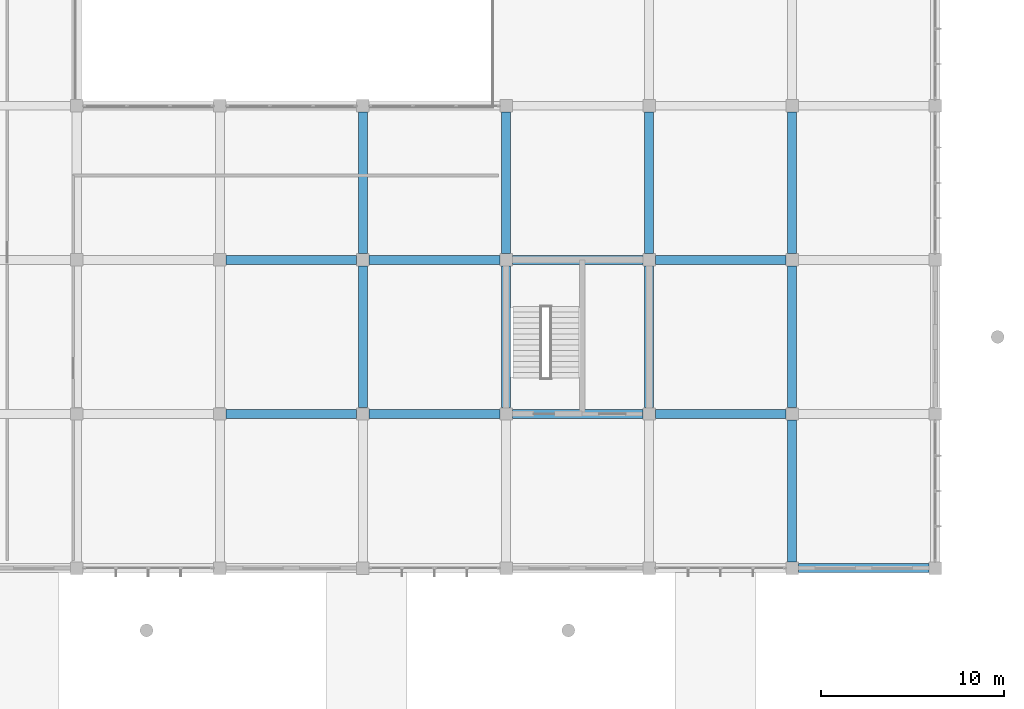
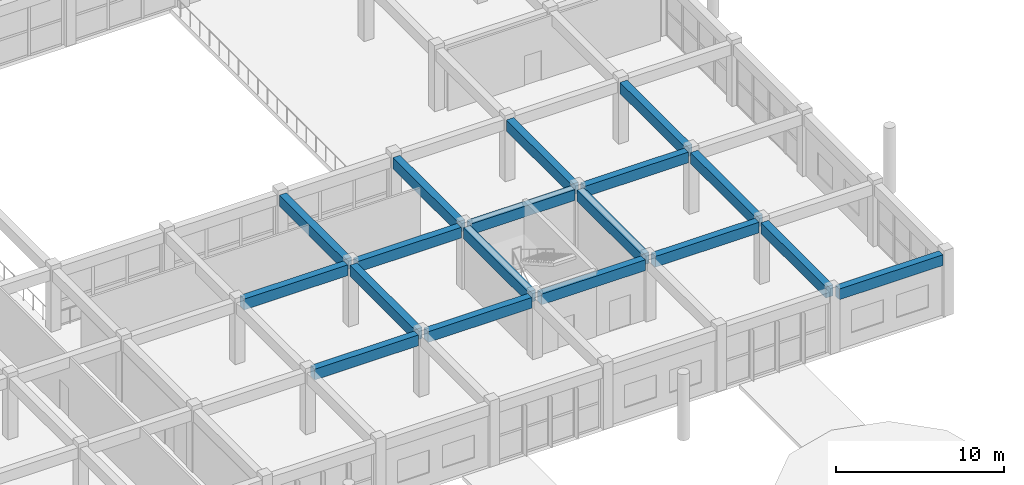
# One storey, part 96 of 175: 18 beams.
"""IFC4 building model written with IfcOpenShell, lengths in metres."""

import ifcopenshell
import ifcopenshell.guid

model = None  # the IFC model being written
_history = None  # IfcOwnerHistory: only IFC2X3 demands one
_inside = {}  # id of a spatial element -> (the spatial element, [elements in it])
_under = {}  # id of a project, library or spatial element -> (it, [spatial elements below it])
_declared = {}  # id of a project -> (the project, [libraries it declares])
_typed = {}  # id of a type object -> (the type object, [elements of that type])
_made_of = {}  # id of a material, layer set ... -> (it, [elements and type objects made of it])


def new_model(schema):
    """Start an empty IFC model of exactly this schema.

    Asked for "IFC4X3", IfcOpenShell would pick the latest addendum, in which some entities
    have other attributes; the version numbers below select the first issue.
    IFC2X3 requires an IfcOwnerHistory on every rooted entity: one is made here for all.
    """
    global model, _history
    if schema == "IFC4X3":
        model = ifcopenshell.file(schema_version=(4, 3, 0, 0))
    else:
        model = ifcopenshell.file(schema=schema)
    _inside.clear()
    _under.clear()
    _declared.clear()
    _typed.clear()
    _made_of.clear()
    _history = None
    if model.schema == "IFC2X3":
        org = make("IfcOrganization", Name="unknown")
        user = make(
            "IfcPersonAndOrganization",
            ThePerson=make("IfcPerson", FamilyName="unknown"),
            TheOrganization=org,
        )
        app = make(
            "IfcApplication",
            ApplicationDeveloper=org,
            Version="unknown",
            ApplicationFullName="unknown",
            ApplicationIdentifier="unknown",
        )
        _history = make(
            "IfcOwnerHistory",
            OwningUser=user,
            OwningApplication=app,
            ChangeAction="ADDED",
            CreationDate=0,
        )
    return model


def make(cls, **values):
    """One entity of the class cls with the attributes given. An attribute that is None is left unset."""
    return model.create_entity(
        cls, **{name: value for name, value in values.items() if value is not None}
    )


def rooted(cls, **values):
    """An entity with a GlobalId (a new one), such as an element, a storey or a relation."""
    return make(cls, GlobalId=ifcopenshell.guid.new(), OwnerHistory=_history, **values)


def si_unit(unit_type, name, prefix=None):
    """IfcSIUnit, for example si_unit("LENGTHUNIT", "METRE", prefix="MILLI")."""
    return make("IfcSIUnit", UnitType=unit_type, Prefix=prefix, Name=name)


def assignment(units):
    """IfcUnitAssignment: the units of a project."""
    return None if units is None else make("IfcUnitAssignment", Units=units)


def point(xyz):
    """IfcCartesianPoint."""
    return None if xyz is None else make("IfcCartesianPoint", Coordinates=xyz)


def direction(xyz):
    """IfcDirection."""
    return None if xyz is None else make("IfcDirection", DirectionRatios=xyz)


def frame(location, z_axis=None, x_axis=None):
    """IfcAxis2Placement3D, a coordinate frame: its origin and axes. An axis left out is left unset."""
    return make(
        "IfcAxis2Placement3D",
        Location=point(location),
        Axis=direction(z_axis),
        RefDirection=direction(x_axis),
    )


def frame_2d(location, x_axis=None):
    """IfcAxis2Placement2D, a coordinate frame in the plane: its origin and x axis."""
    return make(
        "IfcAxis2Placement2D", Location=point(location), RefDirection=direction(x_axis)
    )


def origin():
    """The frame at (0, 0, 0) with its axes left unset."""
    return frame((0.0, 0.0, 0.0))


def origin_2d():
    """The frame at (0, 0) in the plane with its x axis left unset."""
    return frame_2d((0.0, 0.0))


def place(relative_to, where):
    """IfcLocalPlacement: puts the frame where relative to a parent placement (None: the world)."""
    return make(
        "IfcLocalPlacement", PlacementRelTo=relative_to, RelativePlacement=where
    )


def context(
    kind, dimensions, precision=None, world=None, true_north=None, identifier=None
):
    """IfcGeometricRepresentationContext, for example the 3D "Model" context."""
    return make(
        "IfcGeometricRepresentationContext",
        ContextIdentifier=identifier,
        ContextType=kind,
        CoordinateSpaceDimension=dimensions,
        Precision=precision,
        WorldCoordinateSystem=world,
        TrueNorth=true_north,
    )


def subcontext(parent, identifier, kind, view, scale=None):
    """IfcGeometricRepresentationSubContext, for example "Body" below "Model"."""
    return make(
        "IfcGeometricRepresentationSubContext",
        ContextIdentifier=identifier,
        ContextType=kind,
        ParentContext=parent,
        TargetScale=scale,
        TargetView=view,
    )


def project(units=None, contexts=None):
    """IfcProject with its units and contexts."""
    return rooted(
        "IfcProject",
        Name="project",
        RepresentationContexts=contexts,
        UnitsInContext=assignment(units),
    )


def spatial(cls, under=None, at=None, **own):
    """A site, building, storey or space (cls), placed at a placement, below another one or the project."""
    s = rooted(cls, ObjectPlacement=at, **own)
    if under is not None:
        _under.setdefault(under.id(), (under, []))[1].append(s)
    return s


def profile(cls, at=None, kind="AREA", **sizes):
    """A parametric profile (cls). Its sizes go by their IFC names, for example OverallWidth=200.0."""
    return make(cls, ProfileType=kind, Position=at, **sizes)


def rectangle(**sizes):
    """IfcRectangleProfileDef."""
    return profile("IfcRectangleProfileDef", **sizes)


def extrude(swept, where, along, depth):
    """IfcExtrudedAreaSolid: the profile swept, set in the frame where, extruded along a direction by depth."""
    return make(
        "IfcExtrudedAreaSolid",
        SweptArea=swept,
        Position=where,
        ExtrudedDirection=direction(along),
        Depth=depth,
    )


def shape(context_of_items, identifier, shape_type, items):
    """IfcShapeRepresentation: the items that make up one representation, for example the "Body"."""
    return make(
        "IfcShapeRepresentation",
        ContextOfItems=context_of_items,
        RepresentationIdentifier=identifier,
        RepresentationType=shape_type,
        Items=items,
    )


def material(Name=None, Category=None):
    """IfcMaterial."""
    return make("IfcMaterial", Name=Name, Category=Category)


def material_profile(
    of_material, cross_section, Name=None, Category=None, Priority=None
):
    """IfcMaterialProfile: a cross section and its material."""
    return make(
        "IfcMaterialProfile",
        Name=Name,
        Material=of_material,
        Profile=cross_section,
        Priority=Priority,
        Category=Category,
    )


def profile_set(profiles, Name=None, composite=None):
    """IfcMaterialProfileSet."""
    return make(
        "IfcMaterialProfileSet",
        Name=Name,
        MaterialProfiles=profiles,
        CompositeProfile=composite,
    )


def made_of(thing, what):
    """Note that an element or type object is made of a material, layer set ...; save() writes the relation."""
    if what is not None:
        _made_of.setdefault(what.id(), (what, []))[1].append(thing)
    return thing


def type_object(cls, material=None, **own):
    """A type object (cls), such as IfcWallType, which elements share."""
    return made_of(rooted(cls, **own), material)


def element(
    cls,
    number,
    at=None,
    inside=None,
    cuts=None,
    type_object=None,
    material=None,
    context=None,
    identifier="Body",
    shape_type=None,
    held_by="IfcProductDefinitionShape",
    body=None,
    shapes=None,
    **own,
):
    """One element of the class cls, such as IfcWall. Its Tag is "e" and its number.

    at: its placement. inside: the storey or other place that contains it. cuts: it is an
    opening in that element (IfcRelVoidsElement). A single representation is given by context,
    identifier, shape_type and body (its items); several are given by shapes. held_by: the class
    of the entity that holds the representations. save() writes the other relations.
    """
    e = rooted(cls, Tag="e%d" % number, ObjectPlacement=at, **own)
    if body is not None:
        shapes = [shape(context, identifier, shape_type, body)]
    if shapes is not None:
        e.Representation = make(held_by, Representations=shapes)
    if inside is not None:
        _inside.setdefault(inside.id(), (inside, []))[1].append(e)
    if cuts is not None:
        rooted(
            "IfcRelVoidsElement", RelatingBuildingElement=cuts, RelatedOpeningElement=e
        )
    if type_object is not None:
        _typed.setdefault(type_object.id(), (type_object, []))[1].append(e)
    return made_of(e, material)


def aggregate(whole, parts):
    """IfcRelAggregates: a whole, such as a stair, and the parts it consists of."""
    return rooted("IfcRelAggregates", RelatingObject=whole, RelatedObjects=parts)


def save(model, path):
    """Write the relations noted so far, then the file.

    IfcRelAggregates (storeys below a building ...), IfcRelContainedInSpatialStructure (elements
    in a storey), IfcRelDefinesByType, IfcRelAssociatesMaterial and IfcRelDeclares: one each for
    every whole, place, type object, material and project.
    """
    for whole, parts in _under.values():
        aggregate(whole, parts)
    for where, things in _inside.values():
        rooted(
            "IfcRelContainedInSpatialStructure",
            RelatedElements=things,
            RelatingStructure=where,
        )
    for kind, things in _typed.values():
        rooted("IfcRelDefinesByType", RelatedObjects=things, RelatingType=kind)
    for what, things in _made_of.values():
        rooted("IfcRelAssociatesMaterial", RelatedObjects=things, RelatingMaterial=what)
    for by, libraries in _declared.values():
        rooted("IfcRelDeclares", RelatingContext=by, RelatedDefinitions=libraries)
    model.write(path)


model = new_model("IFC4")

# Units and contexts
model_context = context("Model", 3, precision=1e-05, world=origin(), true_north=direction((0.0, 1.0)))
body_context = subcontext(model_context, "Body", "Model", "MODEL_VIEW")
ifc_project = project(units=[si_unit("LENGTHUNIT", "METRE"), si_unit("AREAUNIT", "SQUARE_METRE"), si_unit("VOLUMEUNIT", "CUBIC_METRE"), si_unit("PLANEANGLEUNIT", "RADIAN"), si_unit("MASSUNIT", "GRAM", prefix="KILO")], contexts=[model_context])

# Site, building, storey
site_placement = place(None, origin())
site = spatial("IfcSite", under=ifc_project, at=site_placement, CompositionType="ELEMENT")
building_placement = place(site_placement, origin())
building = spatial("IfcBuilding", under=site, at=building_placement, Name="Zizhar Promenade General Hospital", CompositionType="ELEMENT")
storey_placement = place(building_placement, frame((0.0, 0.0, 4.800048828125)))
storey = spatial("IfcBuildingStorey", under=building, at=storey_placement, Name="L01", CompositionType="ELEMENT", Elevation=4.800048828125)

# Beams
ifc_material_1 = material(Name="Concrete C35/45", Category="concrete")
ifc_material_profile_1 = material_profile(ifc_material_1, rectangle(XDim=0.47998046875, YDim=0.780029296875, at=origin_2d()))
ifc_profile_set_1 = profile_set([ifc_material_profile_1], Name="Concrete C35/45")
beam_type_1 = type_object("IfcBeamType", Name="BM-RC-480x780", PredefinedType="BEAM", material=ifc_profile_set_1)
for number, where, z_axis, x_axis, name in (
    (1, (156.340087890625, 50.39990234375, 4.079833984375), (1.0, 0.0, 0.0), (0.0, 1.0, 0.0), "Grid Beam X L01 (20-6)"),
    (2, (156.340087890625, 58.800048828125, 4.079833984375), (1.0, 0.0, 0.0), (0.0, 1.0, 0.0), "Grid Beam X L01 (20-7)"),
):
    element("IfcBeam", number, at=place(storey_placement, frame(where, z_axis=z_axis, x_axis=x_axis)), inside=storey, type_object=beam_type_1, Name=name, PredefinedType="BEAM", context=body_context, shape_type="SweptSolid", body=[
        extrude(rectangle(XDim=0.47998046875, YDim=0.780029296875, at=origin_2d()), origin(), (0.0, 0.0, 1.0), 7.119873046875),
    ])
for number, where, z_axis, x_axis, name in (
    (3, (164.139892578125, 50.39990234375, 4.079833984375), (1.0, 0.0, 0.0), (0.0, 1.0, 0.0), "Grid Beam X L01 (21-6)"),
    (4, (164.139892578125, 58.800048828125, 4.079833984375), (1.0, 0.0, 0.0), (0.0, 1.0, 0.0), "Grid Beam X L01 (21-7)"),
    (5, (171.93994140625, 50.39990234375, 4.079833984375), (1.0, 0.0, 0.0), (0.0, 1.0, 0.0), "Grid Beam X L01 (22-6)"),
    (6, (171.93994140625, 58.800048828125, 4.079833984375), (1.0, 0.0, 0.0), (0.0, 1.0, 0.0), "Grid Beam X L01 (22-7)"),
    (7, (179.739990234375, 50.39990234375, 4.079833984375), (1.0, 0.0, 0.0), (0.0, 1.0, 0.0), "Grid Beam X L01 (23-6)"),
    (8, (179.739990234375, 58.800048828125, 4.079833984375), (1.0, 0.0, 0.0), (0.0, 1.0, 0.0), "Grid Beam X L01 (23-7)"),
):
    element("IfcBeam", number, at=place(storey_placement, frame(where, z_axis=z_axis, x_axis=x_axis)), inside=storey, type_object=beam_type_1, Name=name, PredefinedType="BEAM", context=body_context, shape_type="SweptSolid", body=[
        extrude(rectangle(XDim=0.47998046875, YDim=0.780029296875, at=origin_2d()), origin(), (0.0, 0.0, 1.0), 7.1201171875),
    ])
beam_1_placement = place(storey_placement, frame((187.5400390625, 42.0, 4.079833984375), z_axis=(1.0, 0.0, 0.0), x_axis=(0.0, 1.0, 0.0)))
element("IfcBeam", 9, at=beam_1_placement, inside=storey, type_object=beam_type_1, Name="Grid Beam X L01 (24-5)", PredefinedType="BEAM", context=body_context, shape_type="SweptSolid", body=[
    extrude(rectangle(XDim=0.47998046875, YDim=0.780029296875, at=origin_2d()), origin(), (0.0, 0.0, 1.0), 7.119873046875),
])
ifc_material_2 = material(Name="Concrete C35/45", Category="concrete")
ifc_material_profile_2 = material_profile(ifc_material_2, rectangle(XDim=0.5, YDim=0.800048828125, at=origin_2d()))
ifc_profile_set_2 = profile_set([ifc_material_profile_2], Name="Concrete C35/45")
beam_type_2 = type_object("IfcBeamType", Name="BM-RC-500x800", PredefinedType="BEAM", material=ifc_profile_set_2)
beam_2_placement = place(storey_placement, frame((163.800048828125, 50.739990234375, 4.070068359375), z_axis=(0.0, 1.0, 0.0), x_axis=(-1.0, 0.0, 0.0)))
element("IfcBeam", 10, at=beam_2_placement, inside=storey, type_object=beam_type_2, Name="Grid Beam Y L01 (21-6)", PredefinedType="BEAM", context=body_context, shape_type="SweptSolid", body=[
    extrude(rectangle(XDim=0.5, YDim=0.800048828125, at=origin_2d()), origin(), (0.0, 0.0, 1.0), 7.719970703125),
])
beam_3_placement = place(storey_placement, frame((163.800048828125, 59.139892578125, 4.070068359375), z_axis=(0.0, 1.0, 0.0), x_axis=(-1.0, 0.0, 0.0)))
element("IfcBeam", 11, at=beam_3_placement, inside=storey, type_object=beam_type_2, Name="Grid Beam Y L01 (21-7)", PredefinedType="BEAM", context=body_context, shape_type="SweptSolid", body=[
    extrude(rectangle(XDim=0.5, YDim=0.800048828125, at=origin_2d()), origin(), (0.0, 0.0, 1.0), 7.72021484375),
])
beam_4_placement = place(storey_placement, frame((171.60009765625, 50.739990234375, 4.070068359375), z_axis=(0.0, 1.0, 0.0), x_axis=(-1.0, 0.0, 0.0)))
element("IfcBeam", 12, at=beam_4_placement, inside=storey, type_object=beam_type_2, Name="Grid Beam Y L01 (22-6)", PredefinedType="BEAM", context=body_context, shape_type="SweptSolid", body=[
    extrude(rectangle(XDim=0.5, YDim=0.800048828125, at=origin_2d()), origin(), (0.0, 0.0, 1.0), 7.719970703125),
])
beam_5_placement = place(storey_placement, frame((171.60009765625, 59.139892578125, 4.070068359375), z_axis=(0.0, 1.0, 0.0), x_axis=(-1.0, 0.0, 0.0)))
element("IfcBeam", 13, at=beam_5_placement, inside=storey, type_object=beam_type_2, Name="Grid Beam Y L01 (22-7)", PredefinedType="BEAM", context=body_context, shape_type="SweptSolid", body=[
    extrude(rectangle(XDim=0.5, YDim=0.800048828125, at=origin_2d()), origin(), (0.0, 0.0, 1.0), 7.72021484375),
])
beam_6_placement = place(storey_placement, frame((179.39990234375, 50.739990234375, 4.070068359375), z_axis=(0.0, 1.0, 0.0), x_axis=(-1.0, 0.0, 0.0)))
element("IfcBeam", 14, at=beam_6_placement, inside=storey, type_object=beam_type_2, Name="Grid Beam Y L01 (23-6)", PredefinedType="BEAM", context=body_context, shape_type="SweptSolid", body=[
    extrude(rectangle(XDim=0.5, YDim=0.800048828125, at=origin_2d()), origin(), (0.0, 0.0, 1.0), 7.719970703125),
])
beam_7_placement = place(storey_placement, frame((179.39990234375, 59.139892578125, 4.070068359375), z_axis=(0.0, 1.0, 0.0), x_axis=(-1.0, 0.0, 0.0)))
element("IfcBeam", 15, at=beam_7_placement, inside=storey, type_object=beam_type_2, Name="Grid Beam Y L01 (23-7)", PredefinedType="BEAM", context=body_context, shape_type="SweptSolid", body=[
    extrude(rectangle(XDim=0.5, YDim=0.800048828125, at=origin_2d()), origin(), (0.0, 0.0, 1.0), 7.72021484375),
])
for number, where, z_axis, x_axis, name in (
    (16, (187.199951171875, 42.340087890625, 4.070068359375), (0.0, 1.0, 0.0), (-1.0, 0.0, 0.0), "Grid Beam Y L01 (24-5)"),
    (17, (187.199951171875, 50.739990234375, 4.070068359375), (0.0, 1.0, 0.0), (-1.0, 0.0, 0.0), "Grid Beam Y L01 (24-6)"),
):
    element("IfcBeam", number, at=place(storey_placement, frame(where, z_axis=z_axis, x_axis=x_axis)), inside=storey, type_object=beam_type_2, Name=name, PredefinedType="BEAM", context=body_context, shape_type="SweptSolid", body=[
        extrude(rectangle(XDim=0.5, YDim=0.800048828125, at=origin_2d()), origin(), (0.0, 0.0, 1.0), 7.719970703125),
    ])
beam_8_placement = place(storey_placement, frame((187.199951171875, 59.139892578125, 4.070068359375), z_axis=(0.0, 1.0, 0.0), x_axis=(-1.0, 0.0, 0.0)))
element("IfcBeam", 18, at=beam_8_placement, inside=storey, type_object=beam_type_2, Name="Grid Beam Y L01 (24-7)", PredefinedType="BEAM", context=body_context, shape_type="SweptSolid", body=[
    extrude(rectangle(XDim=0.5, YDim=0.800048828125, at=origin_2d()), origin(), (0.0, 0.0, 1.0), 7.72021484375),
])

save(model, "model.ifc")
